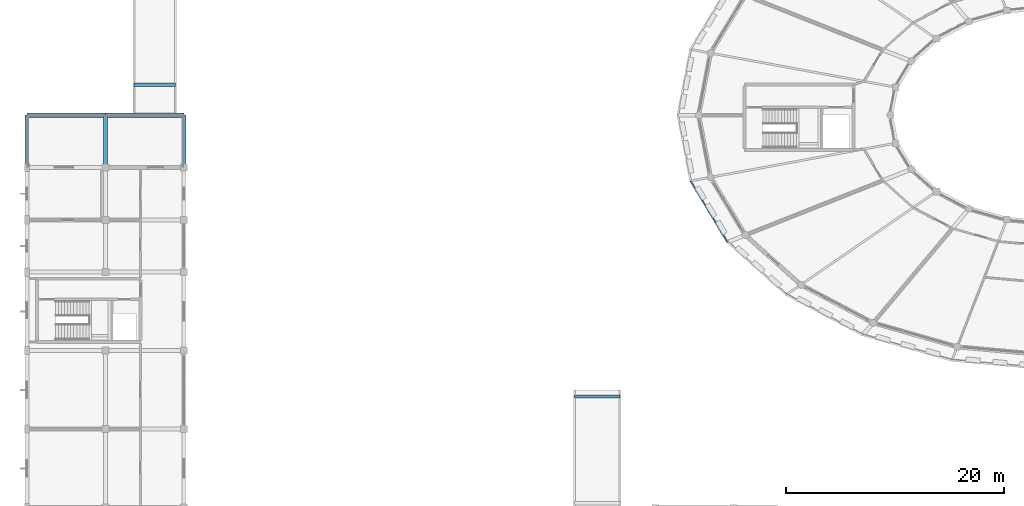
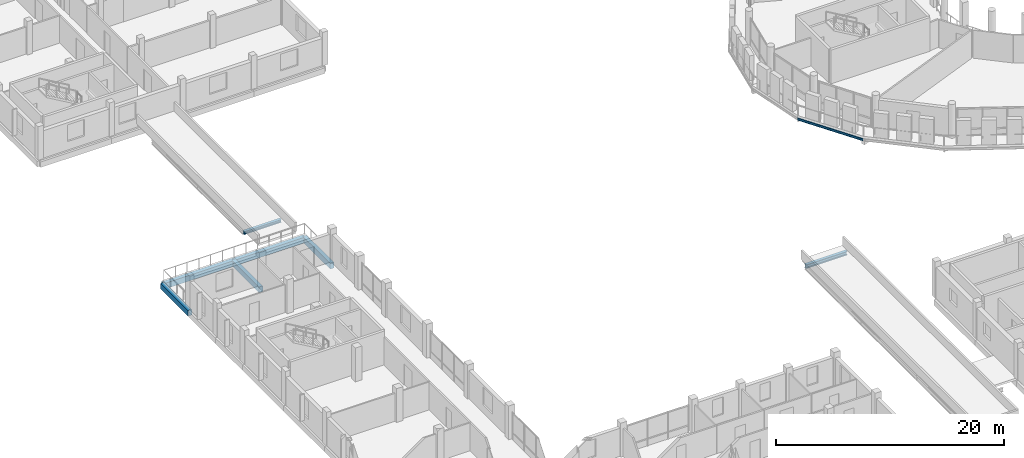
# One storey, part 14 of 93: 8 beams.
"""IFC4 building model written with IfcOpenShell, lengths in metres."""

from ifc_helpers import new_model, si_unit, direction, frame, origin, origin_2d, place, context, subcontext, project, spatial, rectangle, i_section, extrude, material, material_profile, profile_set, type_object, element, save


model = new_model("IFC4")

# Units and contexts
model_context = context("Model", 3, precision=1e-05, world=origin(), true_north=direction((0.0, 1.0)))
body_context = subcontext(model_context, "Body", "Model", "MODEL_VIEW")
ifc_project = project(units=[si_unit("LENGTHUNIT", "METRE"), si_unit("AREAUNIT", "SQUARE_METRE"), si_unit("VOLUMEUNIT", "CUBIC_METRE"), si_unit("PLANEANGLEUNIT", "RADIAN"), si_unit("MASSUNIT", "GRAM", prefix="KILO")], contexts=[model_context])

# Site, building, storey
site_placement = place(None, origin())
site = spatial("IfcSite", under=ifc_project, at=site_placement, CompositionType="ELEMENT")
building_placement = place(site_placement, origin())
building = spatial("IfcBuilding", under=site, at=building_placement, Name="Zornivar Specialist Clinic", CompositionType="ELEMENT")
storey_placement = place(building_placement, frame((0.0, 0.0, 8.39990234375)))
storey = spatial("IfcBuildingStorey", under=building, at=storey_placement, Name="L02", CompositionType="ELEMENT", Elevation=8.39990234375)

# Beams
ifc_material_1 = material(Name="Concrete C30/37", Category="concrete")
ifc_material_profile_1 = material_profile(ifc_material_1, rectangle(XDim=0.3798828125, YDim=0.60009765625, at=origin_2d()), Name="RC 380x600")
ifc_profile_set_1 = profile_set([ifc_material_profile_1], Name="Concrete C30/37")
beam_type_1 = type_object("IfcBeamType", Name="BM-RC-380x600", PredefinedType="BEAM", material=ifc_profile_set_1)
for number, where, z_axis, x_axis, name in (
    (1, (7.199951171875, 52.800048828125, -0.579833984375), (0.0, 1.0, 0.0), (-1.0, 0.0, 0.0), "bm:V2:L02:y:72:8"),
    (2, (14.39990234375, 52.800048828125, -0.579833984375), (0.0, 1.0, 0.0), (-1.0, 0.0, 0.0), "bm:V2:L02:y:144:8"),
):
    element("IfcBeam", number, at=place(storey_placement, frame(where, z_axis=z_axis, x_axis=x_axis)), inside=storey, type_object=beam_type_1, Name=name, PredefinedType="BEAM", context=body_context, shape_type="SweptSolid", body=[
        extrude(rectangle(XDim=0.3798828125, YDim=0.60009765625, at=origin_2d()), origin(), (0.0, 0.0, 1.0), 4.800048828125),
    ])
ifc_material_2 = material(Name="Concrete C30/37", Category="concrete")
ifc_material_profile_2 = material_profile(ifc_material_2, rectangle(XDim=0.389892578125, YDim=0.60009765625, at=origin_2d()), Name="RC 390x600")
ifc_profile_set_2 = profile_set([ifc_material_profile_2], Name="Concrete C30/37")
beam_type_2 = type_object("IfcBeamType", Name="BM-RC-SPANDREL-390x600", PredefinedType="SPANDREL", material=ifc_profile_set_2)
for number, where, z_axis, x_axis, name in (
    (3, (0.0, 57.60009765625, -0.579833984375), (1.0, 0.0, 0.0), (0.0, 1.0, 0.0), "bm:V2:L02:x:576:0"),
    (4, (7.199951171875, 57.60009765625, -0.579833984375), (1.0, 0.0, 0.0), (0.0, 1.0, 0.0), "bm:V2:L02:x:576:1"),
):
    element("IfcBeam", number, at=place(storey_placement, frame(where, z_axis=z_axis, x_axis=x_axis)), inside=storey, type_object=beam_type_2, Name=name, PredefinedType="SPANDREL", context=body_context, shape_type="SweptSolid", body=[
        extrude(rectangle(XDim=0.389892578125, YDim=0.60009765625, at=origin_2d()), origin(), (0.0, 0.0, 1.0), 7.199951171875),
    ])
beam_1_placement = place(storey_placement, frame((0.0, 52.800048828125, -0.579833984375), z_axis=(0.0, 1.0, 0.0), x_axis=(-1.0, 0.0, 0.0)))
element("IfcBeam", 5, at=beam_1_placement, inside=storey, type_object=beam_type_2, Name="bm:V2:L02:y:0:8", PredefinedType="SPANDREL", context=body_context, shape_type="SweptSolid", body=[
    extrude(rectangle(XDim=0.389892578125, YDim=0.60009765625, at=origin_2d()), origin(), (0.0, 0.0, 1.0), 4.800048828125),
])
ifc_material_3 = material(Name="Steel S355J2", Category="steel")
ifc_material_profile_3 = material_profile(ifc_material_3, i_section(OverallWidth=0.300048828125, OverallDepth=0.31005859375, WebThickness=0.009033203125, FlangeThickness=0.015380859375, FilletRadius=0.027099609375, at=origin_2d()), Name="HEA 320")
ifc_profile_set_3 = profile_set([ifc_material_profile_3], Name="Steel S355J2")
beam_type_3 = type_object("IfcBeamType", Name="BM-STL-HEA320", PredefinedType="BEAM", material=ifc_profile_set_3)
beam_2_placement = place(storey_placement, frame((9.800048828125, 60.39990234375, -0.02001953125), z_axis=(1.0, 0.0, 0.0), x_axis=(0.0, 1.0, 0.0)))
element("IfcBeam", 6, at=beam_2_placement, inside=storey, type_object=beam_type_3, Name="bm:BR2:L02:t:604", PredefinedType="BEAM", context=body_context, shape_type="SweptSolid", body=[
    extrude(i_section(OverallWidth=0.300048828125, OverallDepth=0.31005859375, WebThickness=0.009033203125, FlangeThickness=0.015380859375, FilletRadius=0.027099609375, at=origin_2d()), origin(), (0.0, 0.0, 1.0), 3.800048828125),
])
ifc_material_4 = material(Name="Steel S355J2", Category="steel")
ifc_material_profile_4 = material_profile(ifc_material_4, i_section(OverallWidth=0.300048828125, OverallDepth=0.39990234375, WebThickness=0.013427734375, FlangeThickness=0.02392578125, FilletRadius=0.027099609375, at=origin_2d()), Name="HEB 400")
ifc_profile_set_4 = profile_set([ifc_material_profile_4], Name="Steel S355J2")
beam_type_4 = type_object("IfcBeamType", Name="BM-STL-HEB400", PredefinedType="BEAM", material=ifc_profile_set_4)
beam_3_placement = place(storey_placement, frame((50.199951171875, 31.800048828125, -0.419921875), z_axis=(1.0, 0.0, 0.0), x_axis=(0.0, 1.0, 0.0)))
element("IfcBeam", 7, at=beam_3_placement, inside=storey, type_object=beam_type_4, Name="bm:BR1:L02:t:318", PredefinedType="BEAM", context=body_context, shape_type="SweptSolid", body=[
    extrude(i_section(OverallWidth=0.300048828125, OverallDepth=0.39990234375, WebThickness=0.013427734375, FlangeThickness=0.02392578125, FilletRadius=0.027099609375, at=origin_2d()), origin(), (0.0, 0.0, 1.0), 4.199951171875),
])
ifc_material_5 = material(Name="Steel S355J2", Category="steel")
ifc_material_profile_5 = material_profile(ifc_material_5, i_section(OverallWidth=0.1201171875, OverallDepth=0.239990234375, WebThickness=0.006103515625, FlangeThickness=0.009765625, FilletRadius=0.014892578125, at=origin_2d()), Name="IPE 240")
ifc_profile_set_5 = profile_set([ifc_material_profile_5], Name="Steel S355J2")
beam_type_5 = type_object("IfcBeamType", Name="BM-STL-IPE240", PredefinedType="JOIST", material=ifc_profile_set_5)
beam_4_placement = place(storey_placement, frame((60.8359375, 51.56396484375, -0.35986328125), z_axis=(0.516036958114, -0.856566318425, 0.0), x_axis=(0.856566318425, 0.516036958114, 0.0)))
element("IfcBeam", 8, at=beam_4_placement, inside=storey, type_object=beam_type_5, Name="bm:V1:L02:balring:13", PredefinedType="JOIST", context=body_context, shape_type="SweptSolid", body=[
    extrude(i_section(OverallWidth=0.1201171875, OverallDepth=0.239990234375, WebThickness=0.006103515625, FlangeThickness=0.009765625, FilletRadius=0.014892578125, at=origin_2d()), origin(), (0.0, 0.0, 1.0), 6.565673828125),
])

save(model, "model.ifc")
